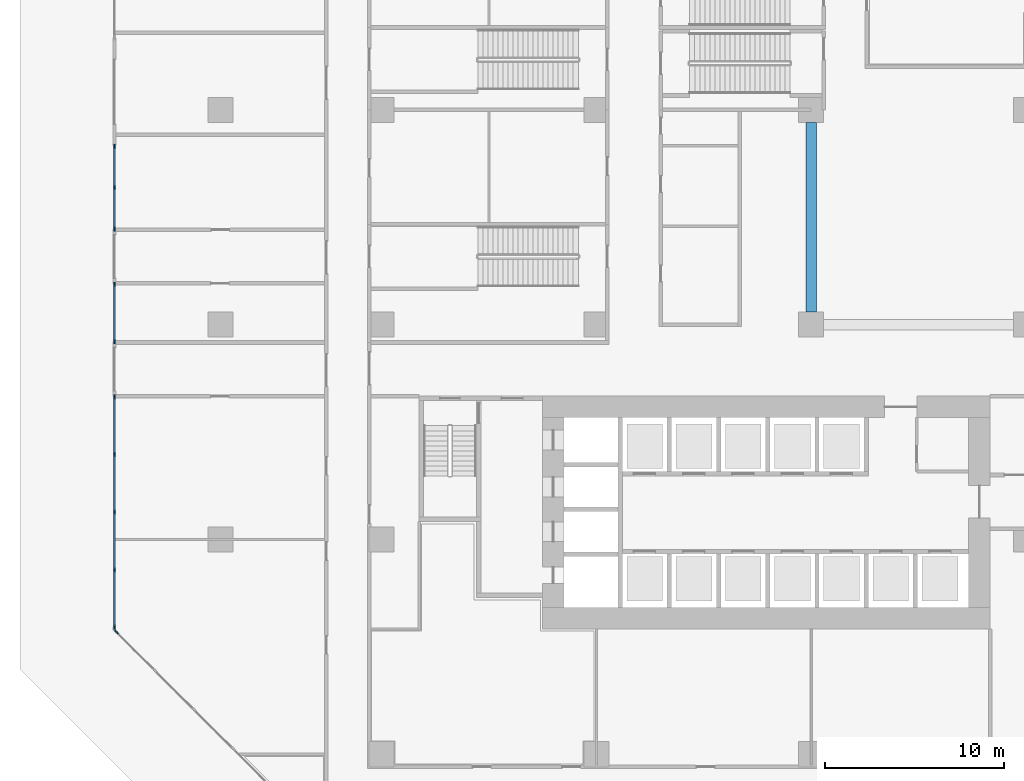
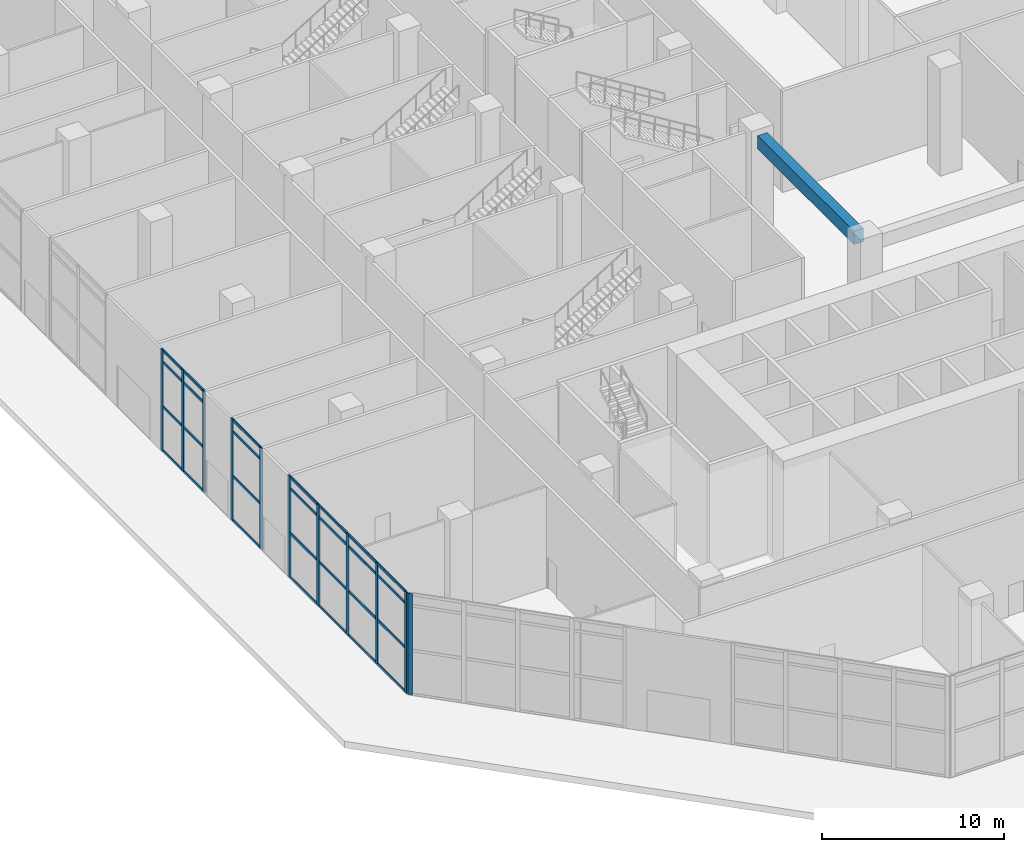
# One storey, part 4 of 34: 39 members, 1 beam, 4 elements without a shape of their own.
"""IFC4 building model written with IfcOpenShell, lengths in metres."""

from ifc_helpers import new_model, si_unit, direction, frame, origin, origin_2d, place, context, subcontext, project, spatial, rectangle, extrude, material, layer, layer_set, material_profile, profile_set, type_object, element, aggregate, save


model = new_model("IFC4")

# Units and contexts
model_context = context("Model", 3, precision=1e-05, world=origin(), true_north=direction((0.0, 1.0)))
body_context = subcontext(model_context, "Body", "Model", "MODEL_VIEW")
ifc_project = project(units=[si_unit("LENGTHUNIT", "METRE"), si_unit("AREAUNIT", "SQUARE_METRE"), si_unit("VOLUMEUNIT", "CUBIC_METRE"), si_unit("PLANEANGLEUNIT", "RADIAN"), si_unit("MASSUNIT", "GRAM", prefix="KILO")], contexts=[model_context])

# Site, building, storey
site_placement = place(None, origin())
site = spatial("IfcSite", under=ifc_project, at=site_placement, CompositionType="ELEMENT")
building_placement = place(site_placement, origin())
building = spatial("IfcBuilding", under=site, at=building_placement, Name="Chenar Terraces", CompositionType="ELEMENT")
storey_placement = place(building_placement, origin())
storey = spatial("IfcBuildingStorey", under=building, at=storey_placement, Name="L00", CompositionType="ELEMENT", Elevation=0.0)

# Beam
ifc_material_1 = material(Name="Concrete C40/50", Category="concrete")
ifc_material_profile_1 = material_profile(ifc_material_1, rectangle(XDim=0.60009765625, YDim=0.89990234375, at=origin_2d()), Name="RC 600 x 900")
ifc_profile_set_1 = profile_set([ifc_material_profile_1], Name="Concrete C40/50")
beam_type = type_object("IfcBeamType", Name="Atrium edge beam 600 x 900 Concrete C40/50", PredefinedType="BEAM", material=ifc_profile_set_1)
beam_placement = place(storey_placement, frame((24.0, 35.300048828125, 6.35009765625), z_axis=(0.0, -1.0, 0.0), x_axis=(1.0, 0.0, 0.0)))
element("IfcBeam", 1, at=beam_placement, inside=storey, type_object=beam_type, Name="Atrium edge beam L01 4", PredefinedType="BEAM", context=body_context, shape_type="SweptSolid", body=[
    extrude(rectangle(XDim=0.60009765625, YDim=0.89990234375, at=origin_2d()), origin(), (0.0, 0.0, 1.0), 10.60009765625),
])

# Curtain wall, members
ifc_material_2 = material(Name="Aluminium framed glazing", Category="aluminium")
ifc_layer = layer(ifc_material_2, 0.14990234375)
ifc_layer_set = layer_set([ifc_layer], Name="Aluminium framed glazing")
curtain_wall_type = type_object("IfcCurtainWallType", Name="Lobby curtain wall", PredefinedType="NOTDEFINED", material=ifc_layer_set)
placement = place(storey_placement, origin())
curtain_wall_1 = element("IfcCurtainWall", 2, at=placement, inside=storey, type_object=curtain_wall_type, Name="Lobby curtain wall", PredefinedType="NOTDEFINED")
ifc_material_3 = material(Name="Aluminium", Category="aluminium")
ifc_material_profile_2 = material_profile(ifc_material_3, rectangle(XDim=0.080078125, YDim=0.25, at=origin_2d()), Name="Lobby glazing mullion 80 x 250")
ifc_profile_set_2 = profile_set([ifc_material_profile_2], Name="Aluminium")
member_type_1 = type_object("IfcMemberType", Name="Lobby glazing mullion 80 x 250", PredefinedType="MULLION", material=ifc_profile_set_2)
member_1_placement = place(storey_placement, frame((-14.925048828125, 33.947509765625, 0.0), z_axis=(0.0, 0.0, 1.0), x_axis=(1.0, 0.0, 0.0)))
member_1 = element("IfcMember", 3, at=member_1_placement, type_object=member_type_1, Name="CW6-04p40 mullion 1", PredefinedType="MULLION", context=body_context, shape_type="SweptSolid", body=[
    extrude(rectangle(XDim=0.080078125, YDim=0.25, at=origin_2d()), origin(), (0.0, 0.0, 1.0), 6.800048828125),
])
member_2_placement = place(storey_placement, frame((-14.925048828125, 31.64990234375, 0.0), z_axis=(0.0, 0.0, 1.0), x_axis=(1.0, 0.0, 0.0)))
member_2 = element("IfcMember", 4, at=member_2_placement, type_object=member_type_1, Name="CW6-04p40 mullion 2", PredefinedType="MULLION", context=body_context, shape_type="SweptSolid", body=[
    extrude(rectangle(XDim=0.080078125, YDim=0.25, at=origin_2d()), origin(), (0.0, 0.0, 1.0), 6.800048828125),
])
member_3_placement = place(storey_placement, frame((-14.925048828125, 29.3525390625, 0.0), z_axis=(0.0, 0.0, 1.0), x_axis=(1.0, 0.0, 0.0)))
member_3 = element("IfcMember", 5, at=member_3_placement, type_object=member_type_1, Name="CW6-04p40 mullion 3", PredefinedType="MULLION", context=body_context, shape_type="SweptSolid", body=[
    extrude(rectangle(XDim=0.080078125, YDim=0.25, at=origin_2d()), origin(), (0.0, 0.0, 1.0), 6.800048828125),
])

curtain_wall_2 = element("IfcCurtainWall", 6, at=placement, inside=storey, type_object=curtain_wall_type, Name="Lobby curtain wall", PredefinedType="NOTDEFINED")
member_4_placement = place(storey_placement, frame((-14.925048828125, 26.24755859375, 0.0), z_axis=(0.0, 0.0, 1.0), x_axis=(1.0, 0.0, 0.0)))
member_4 = element("IfcMember", 7, at=member_4_placement, type_object=member_type_1, Name="CW6-04p50 mullion 1", PredefinedType="MULLION", context=body_context, shape_type="SweptSolid", body=[
    extrude(rectangle(XDim=0.080078125, YDim=0.25, at=origin_2d()), origin(), (0.0, 0.0, 1.0), 6.800048828125),
])
member_5_placement = place(storey_placement, frame((-14.925048828125, 23.052490234375, 0.0), z_axis=(0.0, 0.0, 1.0), x_axis=(1.0, 0.0, 0.0)))
member_5 = element("IfcMember", 8, at=member_5_placement, type_object=member_type_1, Name="CW6-04p50 mullion 2", PredefinedType="MULLION", context=body_context, shape_type="SweptSolid", body=[
    extrude(rectangle(XDim=0.080078125, YDim=0.25, at=origin_2d()), origin(), (0.0, 0.0, 1.0), 6.800048828125),
])

curtain_wall_3 = element("IfcCurtainWall", 9, at=placement, inside=storey, type_object=curtain_wall_type, Name="Lobby curtain wall", PredefinedType="NOTDEFINED")
member_6_placement = place(storey_placement, frame((-14.925048828125, 19.947509765625, 0.0), z_axis=(0.0, 0.0, 1.0), x_axis=(1.0, 0.0, 0.0)))
member_6 = element("IfcMember", 10, at=member_6_placement, type_object=member_type_1, Name="CW6-04p60 mullion 1", PredefinedType="MULLION", context=body_context, shape_type="SweptSolid", body=[
    extrude(rectangle(XDim=0.080078125, YDim=0.25, at=origin_2d()), origin(), (0.0, 0.0, 1.0), 6.800048828125),
])
member_7_placement = place(storey_placement, frame((-14.925048828125, 16.755126953125, 0.0), z_axis=(0.0, 0.0, 1.0), x_axis=(1.0, 0.0, 0.0)))
member_7 = element("IfcMember", 11, at=member_7_placement, type_object=member_type_1, Name="CW6-04p60 mullion 2", PredefinedType="MULLION", context=body_context, shape_type="SweptSolid", body=[
    extrude(rectangle(XDim=0.080078125, YDim=0.25, at=origin_2d()), origin(), (0.0, 0.0, 1.0), 6.800048828125),
])
member_8_placement = place(storey_placement, frame((-14.925048828125, 13.522705078125, 0.0), z_axis=(0.0, 0.0, 1.0), x_axis=(1.0, 0.0, 0.0)))
member_8 = element("IfcMember", 12, at=member_8_placement, type_object=member_type_1, Name="CW6-04p60 mullion 3", PredefinedType="MULLION", context=body_context, shape_type="SweptSolid", body=[
    extrude(rectangle(XDim=0.080078125, YDim=0.25, at=origin_2d()), origin(), (0.0, 0.0, 1.0), 6.800048828125),
])
member_9_placement = place(storey_placement, frame((-14.925048828125, 10.29052734375, 0.0), z_axis=(0.0, 0.0, 1.0), x_axis=(1.0, 0.0, 0.0)))
member_9 = element("IfcMember", 13, at=member_9_placement, type_object=member_type_1, Name="CW6-04p60 mullion 4", PredefinedType="MULLION", context=body_context, shape_type="SweptSolid", body=[
    extrude(rectangle(XDim=0.080078125, YDim=0.25, at=origin_2d()), origin(), (0.0, 0.0, 1.0), 6.800048828125),
])
member_10_placement = place(storey_placement, frame((-14.925048828125, 7.09814453125, 0.0), z_axis=(0.0, 0.0, 1.0), x_axis=(1.0, 0.0, 0.0)))
member_10 = element("IfcMember", 14, at=member_10_placement, type_object=member_type_1, Name="CW6-04p60 mullion 5", PredefinedType="MULLION", context=body_context, shape_type="SweptSolid", body=[
    extrude(rectangle(XDim=0.080078125, YDim=0.25, at=origin_2d()), origin(), (0.0, 0.0, 1.0), 6.800048828125),
])

# Curtain wall, member
curtain_wall_4 = element("IfcCurtainWall", 15, at=placement, inside=storey, type_object=curtain_wall_type, Name="Lobby curtain wall", PredefinedType="NOTDEFINED")
member_11_placement = place(storey_placement, frame((-14.8125, 6.826904296875, 0.0), z_axis=(0.0, 0.0, 1.0), x_axis=(0.707106781187, 0.707106781187, 0.0)))
member_11 = element("IfcMember", 16, at=member_11_placement, type_object=member_type_1, Name="CW6-05a0 mullion 1", PredefinedType="MULLION", context=body_context, shape_type="SweptSolid", body=[
    extrude(rectangle(XDim=0.080078125, YDim=0.25, at=origin_2d()), origin(), (0.0, 0.0, 1.0), 6.800048828125),
])
aggregate(curtain_wall_4, [member_11])

# Member
ifc_material_4 = material(Name="Aluminium", Category="aluminium")
ifc_material_profile_3 = material_profile(ifc_material_4, rectangle(XDim=0.080078125, YDim=0.179931640625, at=origin_2d()), Name="Lobby glazing transom 80 x 180")
ifc_profile_set_3 = profile_set([ifc_material_profile_3], Name="Aluminium")
member_type_2 = type_object("IfcMemberType", Name="Lobby glazing transom 80 x 180", PredefinedType="USERDEFINED", material=ifc_profile_set_3)
member_12_placement = place(storey_placement, frame((-14.925048828125, 33.907470703125, 0.0400390625), z_axis=(0.0, -1.0, 0.0), x_axis=(1.0, 0.0, 0.0)))
member_12 = element("IfcMember", 17, at=member_12_placement, type_object=member_type_2, Name="CW6-04p40 transom 1.1", ObjectType="TRANSOM", PredefinedType="USERDEFINED", context=body_context, shape_type="SweptSolid", body=[
    extrude(rectangle(XDim=0.080078125, YDim=0.179931640625, at=origin_2d()), origin(), (0.0, 0.0, 1.0), 2.217529296875),
])

member_13_placement = place(storey_placement, frame((-14.925048828125, 33.907470703125, 3.0), z_axis=(0.0, -1.0, 0.0), x_axis=(1.0, 0.0, 0.0)))
member_13 = element("IfcMember", 18, at=member_13_placement, type_object=member_type_2, Name="CW6-04p40 transom 1.2", ObjectType="TRANSOM", PredefinedType="USERDEFINED", context=body_context, shape_type="SweptSolid", body=[
    extrude(rectangle(XDim=0.080078125, YDim=0.179931640625, at=origin_2d()), origin(), (0.0, 0.0, 1.0), 2.217529296875),
])

member_14_placement = place(storey_placement, frame((-14.925048828125, 33.907470703125, 6.0), z_axis=(0.0, -1.0, 0.0), x_axis=(1.0, 0.0, 0.0)))
member_14 = element("IfcMember", 19, at=member_14_placement, type_object=member_type_2, Name="CW6-04p40 transom 1.3", ObjectType="TRANSOM", PredefinedType="USERDEFINED", context=body_context, shape_type="SweptSolid", body=[
    extrude(rectangle(XDim=0.080078125, YDim=0.179931640625, at=origin_2d()), origin(), (0.0, 0.0, 1.0), 2.217529296875),
])

member_15_placement = place(storey_placement, frame((-14.925048828125, 33.907470703125, 6.760009765625), z_axis=(0.0, -1.0, 0.0), x_axis=(1.0, 0.0, 0.0)))
member_15 = element("IfcMember", 20, at=member_15_placement, type_object=member_type_2, Name="CW6-04p40 transom 1.4", ObjectType="TRANSOM", PredefinedType="USERDEFINED", context=body_context, shape_type="SweptSolid", body=[
    extrude(rectangle(XDim=0.080078125, YDim=0.179931640625, at=origin_2d()), origin(), (0.0, 0.0, 1.0), 2.217529296875),
])

member_16_placement = place(storey_placement, frame((-14.925048828125, 31.610107421875, 0.0400390625), z_axis=(0.0, -1.0, 0.0), x_axis=(1.0, 0.0, 0.0)))
member_16 = element("IfcMember", 21, at=member_16_placement, type_object=member_type_2, Name="CW6-04p40 transom 2.1", ObjectType="TRANSOM", PredefinedType="USERDEFINED", context=body_context, shape_type="SweptSolid", body=[
    extrude(rectangle(XDim=0.080078125, YDim=0.179931640625, at=origin_2d()), origin(), (0.0, 0.0, 1.0), 2.217529296875),
])

member_17_placement = place(storey_placement, frame((-14.925048828125, 31.610107421875, 3.0), z_axis=(0.0, -1.0, 0.0), x_axis=(1.0, 0.0, 0.0)))
member_17 = element("IfcMember", 22, at=member_17_placement, type_object=member_type_2, Name="CW6-04p40 transom 2.2", ObjectType="TRANSOM", PredefinedType="USERDEFINED", context=body_context, shape_type="SweptSolid", body=[
    extrude(rectangle(XDim=0.080078125, YDim=0.179931640625, at=origin_2d()), origin(), (0.0, 0.0, 1.0), 2.217529296875),
])

member_18_placement = place(storey_placement, frame((-14.925048828125, 31.610107421875, 6.0), z_axis=(0.0, -1.0, 0.0), x_axis=(1.0, 0.0, 0.0)))
member_18 = element("IfcMember", 23, at=member_18_placement, type_object=member_type_2, Name="CW6-04p40 transom 2.3", ObjectType="TRANSOM", PredefinedType="USERDEFINED", context=body_context, shape_type="SweptSolid", body=[
    extrude(rectangle(XDim=0.080078125, YDim=0.179931640625, at=origin_2d()), origin(), (0.0, 0.0, 1.0), 2.217529296875),
])

member_19_placement = place(storey_placement, frame((-14.925048828125, 31.610107421875, 6.760009765625), z_axis=(0.0, -1.0, 0.0), x_axis=(1.0, 0.0, 0.0)))
member_19 = element("IfcMember", 24, at=member_19_placement, type_object=member_type_2, Name="CW6-04p40 transom 2.4", ObjectType="TRANSOM", PredefinedType="USERDEFINED", context=body_context, shape_type="SweptSolid", body=[
    extrude(rectangle(XDim=0.080078125, YDim=0.179931640625, at=origin_2d()), origin(), (0.0, 0.0, 1.0), 2.217529296875),
])

aggregate(curtain_wall_1, [member_1, member_2, member_3, member_12, member_13, member_14, member_15, member_16, member_17, member_18, member_19])

member_20_placement = place(storey_placement, frame((-14.925048828125, 26.20751953125, 0.0400390625), z_axis=(0.0, -1.0, 0.0), x_axis=(1.0, 0.0, 0.0)))
member_20 = element("IfcMember", 25, at=member_20_placement, type_object=member_type_2, Name="CW6-04p50 transom 1.1", ObjectType="TRANSOM", PredefinedType="USERDEFINED", context=body_context, shape_type="SweptSolid", body=[
    extrude(rectangle(XDim=0.080078125, YDim=0.179931640625, at=origin_2d()), origin(), (0.0, 0.0, 1.0), 3.114990234375),
])

member_21_placement = place(storey_placement, frame((-14.925048828125, 26.20751953125, 3.0), z_axis=(0.0, -1.0, 0.0), x_axis=(1.0, 0.0, 0.0)))
member_21 = element("IfcMember", 26, at=member_21_placement, type_object=member_type_2, Name="CW6-04p50 transom 1.2", ObjectType="TRANSOM", PredefinedType="USERDEFINED", context=body_context, shape_type="SweptSolid", body=[
    extrude(rectangle(XDim=0.080078125, YDim=0.179931640625, at=origin_2d()), origin(), (0.0, 0.0, 1.0), 3.114990234375),
])

member_22_placement = place(storey_placement, frame((-14.925048828125, 26.20751953125, 6.0), z_axis=(0.0, -1.0, 0.0), x_axis=(1.0, 0.0, 0.0)))
member_22 = element("IfcMember", 27, at=member_22_placement, type_object=member_type_2, Name="CW6-04p50 transom 1.3", ObjectType="TRANSOM", PredefinedType="USERDEFINED", context=body_context, shape_type="SweptSolid", body=[
    extrude(rectangle(XDim=0.080078125, YDim=0.179931640625, at=origin_2d()), origin(), (0.0, 0.0, 1.0), 3.114990234375),
])

member_23_placement = place(storey_placement, frame((-14.925048828125, 26.20751953125, 6.760009765625), z_axis=(0.0, -1.0, 0.0), x_axis=(1.0, 0.0, 0.0)))
member_23 = element("IfcMember", 28, at=member_23_placement, type_object=member_type_2, Name="CW6-04p50 transom 1.4", ObjectType="TRANSOM", PredefinedType="USERDEFINED", context=body_context, shape_type="SweptSolid", body=[
    extrude(rectangle(XDim=0.080078125, YDim=0.179931640625, at=origin_2d()), origin(), (0.0, 0.0, 1.0), 3.114990234375),
])

aggregate(curtain_wall_2, [member_4, member_5, member_20, member_21, member_22, member_23])

member_24_placement = place(storey_placement, frame((-14.925048828125, 19.907470703125, 0.0400390625), z_axis=(0.0, -1.0, 0.0), x_axis=(1.0, 0.0, 0.0)))
member_24 = element("IfcMember", 29, at=member_24_placement, type_object=member_type_2, Name="CW6-04p60 transom 1.1", ObjectType="TRANSOM", PredefinedType="USERDEFINED", context=body_context, shape_type="SweptSolid", body=[
    extrude(rectangle(XDim=0.080078125, YDim=0.179931640625, at=origin_2d()), origin(), (0.0, 0.0, 1.0), 3.1123046875),
])

member_25_placement = place(storey_placement, frame((-14.925048828125, 19.907470703125, 3.0), z_axis=(0.0, -1.0, 0.0), x_axis=(1.0, 0.0, 0.0)))
member_25 = element("IfcMember", 30, at=member_25_placement, type_object=member_type_2, Name="CW6-04p60 transom 1.2", ObjectType="TRANSOM", PredefinedType="USERDEFINED", context=body_context, shape_type="SweptSolid", body=[
    extrude(rectangle(XDim=0.080078125, YDim=0.179931640625, at=origin_2d()), origin(), (0.0, 0.0, 1.0), 3.1123046875),
])

member_26_placement = place(storey_placement, frame((-14.925048828125, 19.907470703125, 6.0), z_axis=(0.0, -1.0, 0.0), x_axis=(1.0, 0.0, 0.0)))
member_26 = element("IfcMember", 31, at=member_26_placement, type_object=member_type_2, Name="CW6-04p60 transom 1.3", ObjectType="TRANSOM", PredefinedType="USERDEFINED", context=body_context, shape_type="SweptSolid", body=[
    extrude(rectangle(XDim=0.080078125, YDim=0.179931640625, at=origin_2d()), origin(), (0.0, 0.0, 1.0), 3.1123046875),
])

member_27_placement = place(storey_placement, frame((-14.925048828125, 19.907470703125, 6.760009765625), z_axis=(0.0, -1.0, 0.0), x_axis=(1.0, 0.0, 0.0)))
member_27 = element("IfcMember", 32, at=member_27_placement, type_object=member_type_2, Name="CW6-04p60 transom 1.4", ObjectType="TRANSOM", PredefinedType="USERDEFINED", context=body_context, shape_type="SweptSolid", body=[
    extrude(rectangle(XDim=0.080078125, YDim=0.179931640625, at=origin_2d()), origin(), (0.0, 0.0, 1.0), 3.1123046875),
])

member_28_placement = place(storey_placement, frame((-14.925048828125, 16.715087890625, 0.0400390625), z_axis=(0.0, -1.0, 0.0), x_axis=(1.0, 0.0, 0.0)))
member_28 = element("IfcMember", 33, at=member_28_placement, type_object=member_type_2, Name="CW6-04p60 transom 2.1", ObjectType="TRANSOM", PredefinedType="USERDEFINED", context=body_context, shape_type="SweptSolid", body=[
    extrude(rectangle(XDim=0.080078125, YDim=0.179931640625, at=origin_2d()), origin(), (0.0, 0.0, 1.0), 3.15234375),
])

member_29_placement = place(storey_placement, frame((-14.925048828125, 16.715087890625, 3.0), z_axis=(0.0, -1.0, 0.0), x_axis=(1.0, 0.0, 0.0)))
member_29 = element("IfcMember", 34, at=member_29_placement, type_object=member_type_2, Name="CW6-04p60 transom 2.2", ObjectType="TRANSOM", PredefinedType="USERDEFINED", context=body_context, shape_type="SweptSolid", body=[
    extrude(rectangle(XDim=0.080078125, YDim=0.179931640625, at=origin_2d()), origin(), (0.0, 0.0, 1.0), 3.15234375),
])

member_30_placement = place(storey_placement, frame((-14.925048828125, 16.715087890625, 6.0), z_axis=(0.0, -1.0, 0.0), x_axis=(1.0, 0.0, 0.0)))
member_30 = element("IfcMember", 35, at=member_30_placement, type_object=member_type_2, Name="CW6-04p60 transom 2.3", ObjectType="TRANSOM", PredefinedType="USERDEFINED", context=body_context, shape_type="SweptSolid", body=[
    extrude(rectangle(XDim=0.080078125, YDim=0.179931640625, at=origin_2d()), origin(), (0.0, 0.0, 1.0), 3.15234375),
])

member_31_placement = place(storey_placement, frame((-14.925048828125, 16.715087890625, 6.760009765625), z_axis=(0.0, -1.0, 0.0), x_axis=(1.0, 0.0, 0.0)))
member_31 = element("IfcMember", 36, at=member_31_placement, type_object=member_type_2, Name="CW6-04p60 transom 2.4", ObjectType="TRANSOM", PredefinedType="USERDEFINED", context=body_context, shape_type="SweptSolid", body=[
    extrude(rectangle(XDim=0.080078125, YDim=0.179931640625, at=origin_2d()), origin(), (0.0, 0.0, 1.0), 3.15234375),
])

member_32_placement = place(storey_placement, frame((-14.925048828125, 13.48291015625, 0.0400390625), z_axis=(0.0, -1.0, 0.0), x_axis=(1.0, 0.0, 0.0)))
member_32 = element("IfcMember", 37, at=member_32_placement, type_object=member_type_2, Name="CW6-04p60 transom 3.1", ObjectType="TRANSOM", PredefinedType="USERDEFINED", context=body_context, shape_type="SweptSolid", body=[
    extrude(rectangle(XDim=0.080078125, YDim=0.179931640625, at=origin_2d()), origin(), (0.0, 0.0, 1.0), 3.15234375),
])

member_33_placement = place(storey_placement, frame((-14.925048828125, 13.48291015625, 3.0), z_axis=(0.0, -1.0, 0.0), x_axis=(1.0, 0.0, 0.0)))
member_33 = element("IfcMember", 38, at=member_33_placement, type_object=member_type_2, Name="CW6-04p60 transom 3.2", ObjectType="TRANSOM", PredefinedType="USERDEFINED", context=body_context, shape_type="SweptSolid", body=[
    extrude(rectangle(XDim=0.080078125, YDim=0.179931640625, at=origin_2d()), origin(), (0.0, 0.0, 1.0), 3.15234375),
])

member_34_placement = place(storey_placement, frame((-14.925048828125, 13.48291015625, 6.0), z_axis=(0.0, -1.0, 0.0), x_axis=(1.0, 0.0, 0.0)))
member_34 = element("IfcMember", 39, at=member_34_placement, type_object=member_type_2, Name="CW6-04p60 transom 3.3", ObjectType="TRANSOM", PredefinedType="USERDEFINED", context=body_context, shape_type="SweptSolid", body=[
    extrude(rectangle(XDim=0.080078125, YDim=0.179931640625, at=origin_2d()), origin(), (0.0, 0.0, 1.0), 3.15234375),
])

member_35_placement = place(storey_placement, frame((-14.925048828125, 13.48291015625, 6.760009765625), z_axis=(0.0, -1.0, 0.0), x_axis=(1.0, 0.0, 0.0)))
member_35 = element("IfcMember", 40, at=member_35_placement, type_object=member_type_2, Name="CW6-04p60 transom 3.4", ObjectType="TRANSOM", PredefinedType="USERDEFINED", context=body_context, shape_type="SweptSolid", body=[
    extrude(rectangle(XDim=0.080078125, YDim=0.179931640625, at=origin_2d()), origin(), (0.0, 0.0, 1.0), 3.15234375),
])

member_36_placement = place(storey_placement, frame((-14.925048828125, 10.25048828125, 0.0400390625), z_axis=(0.0, -1.0, 0.0), x_axis=(1.0, 0.0, 0.0)))
member_36 = element("IfcMember", 41, at=member_36_placement, type_object=member_type_2, Name="CW6-04p60 transom 4.1", ObjectType="TRANSOM", PredefinedType="USERDEFINED", context=body_context, shape_type="SweptSolid", body=[
    extrude(rectangle(XDim=0.080078125, YDim=0.179931640625, at=origin_2d()), origin(), (0.0, 0.0, 1.0), 3.1123046875),
])

member_37_placement = place(storey_placement, frame((-14.925048828125, 10.25048828125, 3.0), z_axis=(0.0, -1.0, 0.0), x_axis=(1.0, 0.0, 0.0)))
member_37 = element("IfcMember", 42, at=member_37_placement, type_object=member_type_2, Name="CW6-04p60 transom 4.2", ObjectType="TRANSOM", PredefinedType="USERDEFINED", context=body_context, shape_type="SweptSolid", body=[
    extrude(rectangle(XDim=0.080078125, YDim=0.179931640625, at=origin_2d()), origin(), (0.0, 0.0, 1.0), 3.1123046875),
])

member_38_placement = place(storey_placement, frame((-14.925048828125, 10.25048828125, 6.0), z_axis=(0.0, -1.0, 0.0), x_axis=(1.0, 0.0, 0.0)))
member_38 = element("IfcMember", 43, at=member_38_placement, type_object=member_type_2, Name="CW6-04p60 transom 4.3", ObjectType="TRANSOM", PredefinedType="USERDEFINED", context=body_context, shape_type="SweptSolid", body=[
    extrude(rectangle(XDim=0.080078125, YDim=0.179931640625, at=origin_2d()), origin(), (0.0, 0.0, 1.0), 3.1123046875),
])

member_39_placement = place(storey_placement, frame((-14.925048828125, 10.25048828125, 6.760009765625), z_axis=(0.0, -1.0, 0.0), x_axis=(1.0, 0.0, 0.0)))
member_39 = element("IfcMember", 44, at=member_39_placement, type_object=member_type_2, Name="CW6-04p60 transom 4.4", ObjectType="TRANSOM", PredefinedType="USERDEFINED", context=body_context, shape_type="SweptSolid", body=[
    extrude(rectangle(XDim=0.080078125, YDim=0.179931640625, at=origin_2d()), origin(), (0.0, 0.0, 1.0), 3.1123046875),
])

aggregate(curtain_wall_3, [member_6, member_7, member_8, member_9, member_10, member_24, member_25, member_26, member_27, member_28, member_29, member_30, member_31, member_32, member_33, member_34, member_35, member_36, member_37, member_38, member_39])

save(model, "model.ifc")
